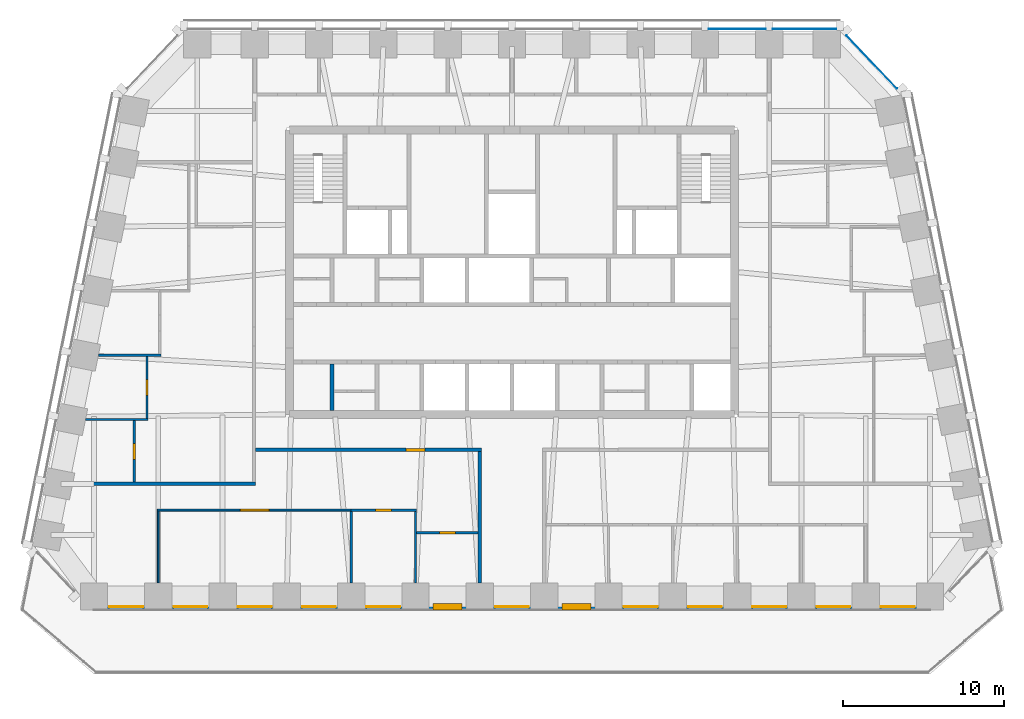
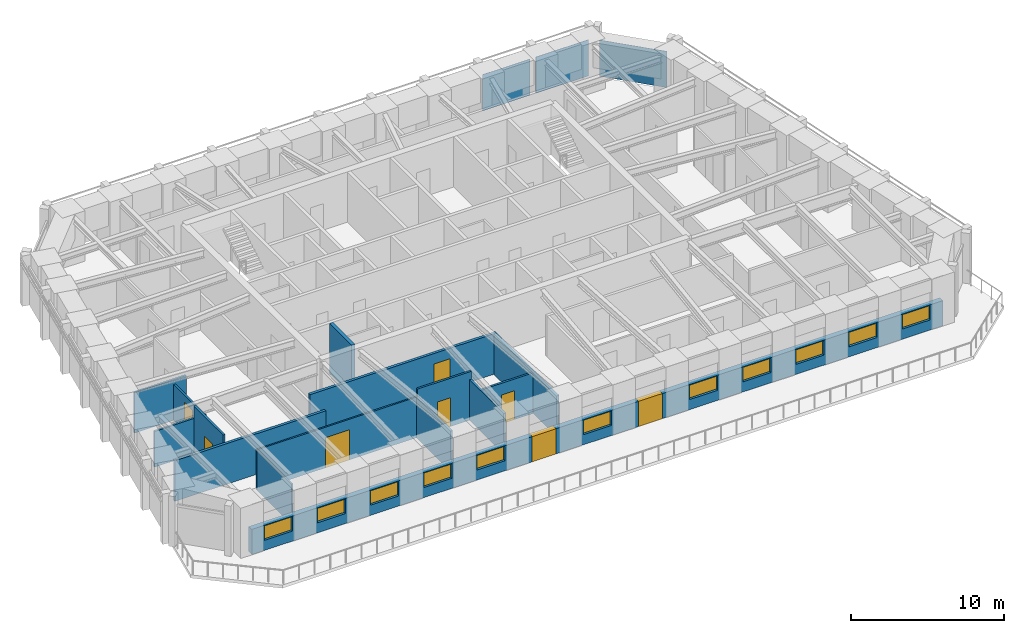
# One storey, part 4 of 11: 15 walls, 11 windows, 8 doors, 3 plates, 19 openings, 2 elements without a shape of their own.
"""IFC4 building model written with IfcOpenShell, lengths in metres."""

from ifc_helpers import new_model, si_unit, direction, frame, frame_2d, origin, origin_2d, place, context, subcontext, project, spatial, rectangle, extrude, material, layer, layer_set, type_object, element, fill, aggregate, save


model = new_model("IFC4")

# Units and contexts
model_context = context("Model", 3, precision=1e-05, world=origin(), true_north=direction((0.0, 1.0)))
body_context = subcontext(model_context, "Body", "Model", "MODEL_VIEW")
ifc_project = project(units=[si_unit("LENGTHUNIT", "METRE"), si_unit("AREAUNIT", "SQUARE_METRE"), si_unit("VOLUMEUNIT", "CUBIC_METRE"), si_unit("PLANEANGLEUNIT", "RADIAN"), si_unit("MASSUNIT", "GRAM", prefix="KILO")], contexts=[model_context])

# Site, building, storey
site_placement = place(None, origin())
site = spatial("IfcSite", under=ifc_project, at=site_placement, CompositionType="ELEMENT")
building_placement = place(site_placement, origin())
building = spatial("IfcBuilding", under=site, at=building_placement, Name="Isbrekke Arena Tower", CompositionType="ELEMENT")
storey_placement = place(building_placement, frame((0.0, 0.0, 284.0)))
storey = spatial("IfcBuildingStorey", under=building, at=storey_placement, Name="L66", CompositionType="ELEMENT", Elevation=284.0)

# Curtain wall, plate
ifc_material_1 = material(Name="Glazed aluminium curtain wall", Category="aluminium")
curtain_wall_type = type_object("IfcCurtainWallType", Name="CWT TOWER CURTAIN WALL TOP ZONE", PredefinedType="USERDEFINED", material=ifc_material_1)
curtain_wall_1_placement = place(storey_placement, origin())
curtain_wall_1 = element("IfcCurtainWall", 1, at=curtain_wall_1_placement, inside=storey, type_object=curtain_wall_type, Name="CWT curtain wall L66-EN", ObjectType="TOWER CURTAIN WALL TOP ZONE", PredefinedType="USERDEFINED")
ifc_material_2 = material(Name="Triple-glazed clear glass unit", Category="glass")
ifc_layer_1 = layer(ifc_material_2, 0.031982421875)
ifc_layer_set_1 = layer_set([ifc_layer_1], Name="CWT-P VISION PANEL")
plate_type = type_object("IfcPlateType", Name="CWT-P VISION PANEL", PredefinedType="CURTAIN_PANEL", material=ifc_layer_set_1)
plate_1_placement = place(storey_placement, frame((22.374755859375, 28.06640625, 0.02001953125), z_axis=(0.0, 0.0, 1.0), x_axis=(-0.68874946192, 0.72499943359, 0.0)))
plate_1 = element("IfcPlate", 2, at=plate_1_placement, type_object=plate_type, Name="CWT-P panel 1", PredefinedType="CURTAIN_PANEL", context=body_context, shape_type="SweptSolid", body=[
    extrude(rectangle(XDim=4.558349609375, YDim=0.031982421875, at=origin_2d()), origin(), (0.0, 0.0, 1.0), 2.8798828125),
])
aggregate(curtain_wall_1, [plate_1])

# Curtain wall, plates
curtain_wall_2_placement = place(storey_placement, origin())
curtain_wall_2 = element("IfcCurtainWall", 3, at=curtain_wall_2_placement, inside=storey, type_object=curtain_wall_type, Name="CWT curtain wall L66-N", ObjectType="TOWER CURTAIN WALL TOP ZONE", PredefinedType="USERDEFINED")
plate_2_placement = place(storey_placement, frame((18.199951171875, 30.125, 0.02001953125), z_axis=(0.0, 0.0, 1.0), x_axis=(-1.0, 0.0, 0.0)))
plate_2 = element("IfcPlate", 4, at=plate_2_placement, type_object=plate_type, Name="CWT-P panel 1", PredefinedType="CURTAIN_PANEL", context=body_context, shape_type="SweptSolid", body=[
    extrude(rectangle(XDim=3.949951171875, YDim=0.031982421875, at=origin_2d()), origin(), (0.0, 0.0, 1.0), 2.8798828125),
])
plate_3_placement = place(storey_placement, frame((14.0, 30.125, 0.02001953125), z_axis=(0.0, 0.0, 1.0), x_axis=(-1.0, 0.0, 0.0)))
plate_3 = element("IfcPlate", 5, at=plate_3_placement, type_object=plate_type, Name="CWT-P panel 2", PredefinedType="CURTAIN_PANEL", context=body_context, shape_type="SweptSolid", body=[
    extrude(rectangle(XDim=3.550048828125, YDim=0.031982421875, at=origin_2d()), origin(), (0.0, 0.0, 1.0), 2.8798828125),
])
aggregate(curtain_wall_2, [plate_2, plate_3])

# Wall
ifc_material_3 = material(Name="Concrete B45 (C45/55)", Category="concrete")
ifc_layer_2 = layer(ifc_material_3, 0.25)
ifc_layer_set_2 = layer_set([ifc_layer_2], Name="CW6 SHAFT WALL 250")
wall_type_1 = type_object("IfcWallType", Name="CW6 SHAFT WALL 250", PredefinedType="SHEAR", material=ifc_layer_set_2)
wall_1_placement = place(storey_placement, frame((-11.199951171875, 6.39990234375, 0.0), z_axis=(0.0, 0.0, 1.0), x_axis=(0.0, 1.0, 0.0)))
element("IfcWall", 6, at=wall_1_placement, inside=storey, type_object=wall_type_1, Name="Core wall SS01 L66", PredefinedType="SHEAR", context=body_context, shape_type="SweptSolid", body=[
    extrude(rectangle(XDim=2.875, YDim=0.25, at=frame_2d((1.4375, 0.0))), origin(), (0.0, 0.0, 1.0), 4.0),
])

# Wall, openings, doors, windows
ifc_material_4 = material(Name="Copper cladding on insulated framing", Category="metal")
ifc_layer_3 = layer(ifc_material_4, 0.39990234375)
ifc_layer_set_3 = layer_set([ifc_layer_3], Name="EW2 COPPER-CLAD WALL 400")
wall_type_2 = type_object("IfcWallType", Name="EW2 COPPER-CLAD WALL 400", PredefinedType="SOLIDWALL", material=ifc_layer_set_3)
wall_2_placement = place(storey_placement, frame((-26.0, -5.800048828125, 0.0), z_axis=(0.0, 0.0, 1.0), x_axis=(1.0, 0.0, 0.0)))
wall_2 = element("IfcWall", 7, at=wall_2_placement, inside=storey, type_object=wall_type_2, Name="EW2 terrace wall L66", PredefinedType="SOLIDWALL", context=body_context, shape_type="SweptSolid", body=[
    extrude(rectangle(XDim=52.0, YDim=0.39990234375, at=frame_2d((26.0, 0.0))), origin(), (0.0, 0.0, 1.0), 2.0),
])
opening_1_placement = place(wall_2_placement, frame((0.949951171875, 0.0, 0.800048828125)))
opening_1 = element("IfcOpeningElement", 8, at=opening_1_placement, cuts=wall_2, Name="Opening WN1", PredefinedType="OPENING", context=body_context, shape_type="SweptSolid", body=[
    extrude(rectangle(XDim=2.10009765625, YDim=1.14990234375, at=frame_2d((1.050048828125, 0.574951171875))), frame((0.0, 0.21484375, 0.0), z_axis=(0.0, -1.0, 0.0), x_axis=(1.0, 0.0, 0.0)), (0.0, 0.0, 1.0), 0.4296875),
])
opening_2_placement = place(wall_2_placement, frame((4.949951171875, 0.0, 0.800048828125)))
opening_2 = element("IfcOpeningElement", 9, at=opening_2_placement, cuts=wall_2, Name="Opening WN1", PredefinedType="OPENING", context=body_context, shape_type="SweptSolid", body=[
    extrude(rectangle(XDim=2.10009765625, YDim=1.14990234375, at=frame_2d((1.050048828125, 0.574951171875))), frame((0.0, 0.21484375, 0.0), z_axis=(0.0, -1.0, 0.0), x_axis=(1.0, 0.0, 0.0)), (0.0, 0.0, 1.0), 0.4296875),
])
opening_3_placement = place(wall_2_placement, frame((8.949951171875, 0.0, 0.800048828125)))
opening_3 = element("IfcOpeningElement", 10, at=opening_3_placement, cuts=wall_2, Name="Opening WN1", PredefinedType="OPENING", context=body_context, shape_type="SweptSolid", body=[
    extrude(rectangle(XDim=2.10009765625, YDim=1.14990234375, at=frame_2d((1.050048828125, 0.574951171875))), frame((0.0, 0.21484375, 0.0), z_axis=(0.0, -1.0, 0.0), x_axis=(1.0, 0.0, 0.0)), (0.0, 0.0, 1.0), 0.4296875),
])
opening_4_placement = place(wall_2_placement, frame((12.949951171875, 0.0, 0.800048828125)))
opening_4 = element("IfcOpeningElement", 11, at=opening_4_placement, cuts=wall_2, Name="Opening WN1", PredefinedType="OPENING", context=body_context, shape_type="SweptSolid", body=[
    extrude(rectangle(XDim=2.10009765625, YDim=1.14990234375, at=frame_2d((1.050048828125, 0.574951171875))), frame((0.0, 0.21484375, 0.0), z_axis=(0.0, -1.0, 0.0), x_axis=(1.0, 0.0, 0.0)), (0.0, 0.0, 1.0), 0.4296875),
])
opening_5_placement = place(wall_2_placement, frame((16.949951171875, 0.0, 0.800048828125)))
opening_5 = element("IfcOpeningElement", 12, at=opening_5_placement, cuts=wall_2, Name="Opening WN1", PredefinedType="OPENING", context=body_context, shape_type="SweptSolid", body=[
    extrude(rectangle(XDim=2.10009765625, YDim=1.14990234375, at=frame_2d((1.050048828125, 0.574951171875))), frame((0.0, 0.21484375, 0.0), z_axis=(0.0, -1.0, 0.0), x_axis=(1.0, 0.0, 0.0)), (0.0, 0.0, 1.0), 0.4296875),
])
opening_6_placement = place(wall_2_placement, frame((21.10009765625, 0.0, 0.0)))
opening_6 = element("IfcOpeningElement", 13, at=opening_6_placement, cuts=wall_2, Name="Opening DT1", PredefinedType="OPENING", context=body_context, shape_type="SweptSolid", body=[
    extrude(rectangle(XDim=1.800048828125, YDim=2.0, at=frame_2d((0.89990234375, 1.0))), frame((0.0, 0.21484375, 0.0), z_axis=(0.0, -1.0, 0.0), x_axis=(1.0, 0.0, 0.0)), (0.0, 0.0, 1.0), 0.4296875),
])
opening_7_placement = place(wall_2_placement, frame((24.949951171875, 0.0, 0.800048828125)))
opening_7 = element("IfcOpeningElement", 14, at=opening_7_placement, cuts=wall_2, Name="Opening WN1", PredefinedType="OPENING", context=body_context, shape_type="SweptSolid", body=[
    extrude(rectangle(XDim=2.10009765625, YDim=1.14990234375, at=frame_2d((1.050048828125, 0.574951171875))), frame((0.0, 0.21484375, 0.0), z_axis=(0.0, -1.0, 0.0), x_axis=(1.0, 0.0, 0.0)), (0.0, 0.0, 1.0), 0.4296875),
])
opening_8_placement = place(wall_2_placement, frame((29.10009765625, 0.0, 0.0)))
opening_8 = element("IfcOpeningElement", 15, at=opening_8_placement, cuts=wall_2, Name="Opening DT1", PredefinedType="OPENING", context=body_context, shape_type="SweptSolid", body=[
    extrude(rectangle(XDim=1.800048828125, YDim=2.0, at=frame_2d((0.89990234375, 1.0))), frame((0.0, 0.21484375, 0.0), z_axis=(0.0, -1.0, 0.0), x_axis=(1.0, 0.0, 0.0)), (0.0, 0.0, 1.0), 0.4296875),
])
opening_9_placement = place(wall_2_placement, frame((32.949951171875, 0.0, 0.800048828125)))
opening_9 = element("IfcOpeningElement", 16, at=opening_9_placement, cuts=wall_2, Name="Opening WN1", PredefinedType="OPENING", context=body_context, shape_type="SweptSolid", body=[
    extrude(rectangle(XDim=2.10009765625, YDim=1.14990234375, at=frame_2d((1.050048828125, 0.574951171875))), frame((0.0, 0.21484375, 0.0), z_axis=(0.0, -1.0, 0.0), x_axis=(1.0, 0.0, 0.0)), (0.0, 0.0, 1.0), 0.4296875),
])
opening_10_placement = place(wall_2_placement, frame((36.949951171875, 0.0, 0.800048828125)))
opening_10 = element("IfcOpeningElement", 17, at=opening_10_placement, cuts=wall_2, Name="Opening WN1", PredefinedType="OPENING", context=body_context, shape_type="SweptSolid", body=[
    extrude(rectangle(XDim=2.10009765625, YDim=1.14990234375, at=frame_2d((1.050048828125, 0.574951171875))), frame((0.0, 0.21484375, 0.0), z_axis=(0.0, -1.0, 0.0), x_axis=(1.0, 0.0, 0.0)), (0.0, 0.0, 1.0), 0.4296875),
])
opening_11_placement = place(wall_2_placement, frame((40.949951171875, 0.0, 0.800048828125)))
opening_11 = element("IfcOpeningElement", 18, at=opening_11_placement, cuts=wall_2, Name="Opening WN1", PredefinedType="OPENING", context=body_context, shape_type="SweptSolid", body=[
    extrude(rectangle(XDim=2.10009765625, YDim=1.14990234375, at=frame_2d((1.050048828125, 0.574951171875))), frame((0.0, 0.21484375, 0.0), z_axis=(0.0, -1.0, 0.0), x_axis=(1.0, 0.0, 0.0)), (0.0, 0.0, 1.0), 0.4296875),
])
opening_12_placement = place(wall_2_placement, frame((44.949951171875, 0.0, 0.800048828125)))
opening_12 = element("IfcOpeningElement", 19, at=opening_12_placement, cuts=wall_2, Name="Opening WN1", PredefinedType="OPENING", context=body_context, shape_type="SweptSolid", body=[
    extrude(rectangle(XDim=2.10009765625, YDim=1.14990234375, at=frame_2d((1.050048828125, 0.574951171875))), frame((0.0, 0.21484375, 0.0), z_axis=(0.0, -1.0, 0.0), x_axis=(1.0, 0.0, 0.0)), (0.0, 0.0, 1.0), 0.4296875),
])
opening_13_placement = place(wall_2_placement, frame((48.949951171875, 0.0, 0.800048828125)))
opening_13 = element("IfcOpeningElement", 20, at=opening_13_placement, cuts=wall_2, Name="Opening WN1", PredefinedType="OPENING", context=body_context, shape_type="SweptSolid", body=[
    extrude(rectangle(XDim=2.10009765625, YDim=1.14990234375, at=frame_2d((1.050048828125, 0.574951171875))), frame((0.0, 0.21484375, 0.0), z_axis=(0.0, -1.0, 0.0), x_axis=(1.0, 0.0, 0.0)), (0.0, 0.0, 1.0), 0.4296875),
])
ifc_material_5 = material(Name="Timber-aluminium glazed door", Category="wood")
door_type_1 = type_object("IfcDoorType", Name="DT1 TERRACE DOOR 1800 x 2000", OperationType="DOUBLE_DOOR_SINGLE_SWING", PredefinedType="DOOR", material=ifc_material_5)
door_1_placement = place(opening_6_placement, origin())
door_1 = element("IfcDoor", 21, at=door_1_placement, inside=storey, type_object=door_type_1, Name="DT1 terrace door L66-6", OperationType="DOUBLE_DOOR_SINGLE_SWING", OverallHeight=2.0, OverallWidth=1.800048828125, PredefinedType="DOOR", context=body_context, shape_type="SweptSolid", body=[
    extrude(rectangle(XDim=1.800048828125, YDim=2.0, at=frame_2d((0.89990234375, 1.0))), frame((0.0, 0.19970703125, 0.0), z_axis=(0.0, -1.0, 0.0), x_axis=(1.0, 0.0, 0.0)), (0.0, 0.0, 1.0), 0.3994140625),
])
fill(opening_6, door_1)
door_2_placement = place(opening_8_placement, origin())
door_2 = element("IfcDoor", 22, at=door_2_placement, inside=storey, type_object=door_type_1, Name="DT1 terrace door L66-8", OperationType="DOUBLE_DOOR_SINGLE_SWING", OverallHeight=2.0, OverallWidth=1.800048828125, PredefinedType="DOOR", context=body_context, shape_type="SweptSolid", body=[
    extrude(rectangle(XDim=1.800048828125, YDim=2.0, at=frame_2d((0.89990234375, 1.0))), frame((0.0, 0.19970703125, 0.0), z_axis=(0.0, -1.0, 0.0), x_axis=(1.0, 0.0, 0.0)), (0.0, 0.0, 1.0), 0.3994140625),
])
fill(opening_8, door_2)
ifc_material_6 = material(Name="Timber-aluminium window, triple glazed", Category="wood")
window_type = type_object("IfcWindowType", Name="WN1 TERRACE WINDOW 2100 x 1150", PartitioningType="SINGLE_PANEL", PredefinedType="WINDOW", material=ifc_material_6)
window_1_placement = place(opening_1_placement, origin())
window_1 = element("IfcWindow", 23, at=window_1_placement, inside=storey, type_object=window_type, Name="WN1 terrace window L66-1", OverallHeight=1.14990234375, OverallWidth=2.10009765625, PartitioningType="SINGLE_PANEL", PredefinedType="WINDOW", context=body_context, shape_type="SweptSolid", body=[
    extrude(rectangle(XDim=2.10009765625, YDim=1.14990234375, at=frame_2d((1.050048828125, 0.574951171875))), frame((0.0, 0.030029296875, 0.0), z_axis=(0.0, -1.0, 0.0), x_axis=(1.0, 0.0, 0.0)), (0.0, 0.0, 1.0), 0.06005859375),
])
fill(opening_1, window_1)
window_2_placement = place(opening_2_placement, origin())
window_2 = element("IfcWindow", 24, at=window_2_placement, inside=storey, type_object=window_type, Name="WN1 terrace window L66-2", OverallHeight=1.14990234375, OverallWidth=2.10009765625, PartitioningType="SINGLE_PANEL", PredefinedType="WINDOW", context=body_context, shape_type="SweptSolid", body=[
    extrude(rectangle(XDim=2.10009765625, YDim=1.14990234375, at=frame_2d((1.050048828125, 0.574951171875))), frame((0.0, 0.030029296875, 0.0), z_axis=(0.0, -1.0, 0.0), x_axis=(1.0, 0.0, 0.0)), (0.0, 0.0, 1.0), 0.06005859375),
])
fill(opening_2, window_2)
window_3_placement = place(opening_3_placement, origin())
window_3 = element("IfcWindow", 25, at=window_3_placement, inside=storey, type_object=window_type, Name="WN1 terrace window L66-3", OverallHeight=1.14990234375, OverallWidth=2.10009765625, PartitioningType="SINGLE_PANEL", PredefinedType="WINDOW", context=body_context, shape_type="SweptSolid", body=[
    extrude(rectangle(XDim=2.10009765625, YDim=1.14990234375, at=frame_2d((1.050048828125, 0.574951171875))), frame((0.0, 0.030029296875, 0.0), z_axis=(0.0, -1.0, 0.0), x_axis=(1.0, 0.0, 0.0)), (0.0, 0.0, 1.0), 0.06005859375),
])
fill(opening_3, window_3)
window_4_placement = place(opening_4_placement, origin())
window_4 = element("IfcWindow", 26, at=window_4_placement, inside=storey, type_object=window_type, Name="WN1 terrace window L66-4", OverallHeight=1.14990234375, OverallWidth=2.10009765625, PartitioningType="SINGLE_PANEL", PredefinedType="WINDOW", context=body_context, shape_type="SweptSolid", body=[
    extrude(rectangle(XDim=2.10009765625, YDim=1.14990234375, at=frame_2d((1.050048828125, 0.574951171875))), frame((0.0, 0.030029296875, 0.0), z_axis=(0.0, -1.0, 0.0), x_axis=(1.0, 0.0, 0.0)), (0.0, 0.0, 1.0), 0.06005859375),
])
fill(opening_4, window_4)
window_5_placement = place(opening_5_placement, origin())
window_5 = element("IfcWindow", 27, at=window_5_placement, inside=storey, type_object=window_type, Name="WN1 terrace window L66-5", OverallHeight=1.14990234375, OverallWidth=2.10009765625, PartitioningType="SINGLE_PANEL", PredefinedType="WINDOW", context=body_context, shape_type="SweptSolid", body=[
    extrude(rectangle(XDim=2.10009765625, YDim=1.14990234375, at=frame_2d((1.050048828125, 0.574951171875))), frame((0.0, 0.030029296875, 0.0), z_axis=(0.0, -1.0, 0.0), x_axis=(1.0, 0.0, 0.0)), (0.0, 0.0, 1.0), 0.06005859375),
])
fill(opening_5, window_5)
window_6_placement = place(opening_7_placement, origin())
window_6 = element("IfcWindow", 28, at=window_6_placement, inside=storey, type_object=window_type, Name="WN1 terrace window L66-7", OverallHeight=1.14990234375, OverallWidth=2.10009765625, PartitioningType="SINGLE_PANEL", PredefinedType="WINDOW", context=body_context, shape_type="SweptSolid", body=[
    extrude(rectangle(XDim=2.10009765625, YDim=1.14990234375, at=frame_2d((1.050048828125, 0.574951171875))), frame((0.0, 0.030029296875, 0.0), z_axis=(0.0, -1.0, 0.0), x_axis=(1.0, 0.0, 0.0)), (0.0, 0.0, 1.0), 0.06005859375),
])
fill(opening_7, window_6)
window_7_placement = place(opening_9_placement, origin())
window_7 = element("IfcWindow", 29, at=window_7_placement, inside=storey, type_object=window_type, Name="WN1 terrace window L66-9", OverallHeight=1.14990234375, OverallWidth=2.10009765625, PartitioningType="SINGLE_PANEL", PredefinedType="WINDOW", context=body_context, shape_type="SweptSolid", body=[
    extrude(rectangle(XDim=2.10009765625, YDim=1.14990234375, at=frame_2d((1.050048828125, 0.574951171875))), frame((0.0, 0.030029296875, 0.0), z_axis=(0.0, -1.0, 0.0), x_axis=(1.0, 0.0, 0.0)), (0.0, 0.0, 1.0), 0.06005859375),
])
fill(opening_9, window_7)
window_8_placement = place(opening_10_placement, origin())
window_8 = element("IfcWindow", 30, at=window_8_placement, inside=storey, type_object=window_type, Name="WN1 terrace window L66-10", OverallHeight=1.14990234375, OverallWidth=2.10009765625, PartitioningType="SINGLE_PANEL", PredefinedType="WINDOW", context=body_context, shape_type="SweptSolid", body=[
    extrude(rectangle(XDim=2.10009765625, YDim=1.14990234375, at=frame_2d((1.050048828125, 0.574951171875))), frame((0.0, 0.030029296875, 0.0), z_axis=(0.0, -1.0, 0.0), x_axis=(1.0, 0.0, 0.0)), (0.0, 0.0, 1.0), 0.06005859375),
])
fill(opening_10, window_8)
window_9_placement = place(opening_11_placement, origin())
window_9 = element("IfcWindow", 31, at=window_9_placement, inside=storey, type_object=window_type, Name="WN1 terrace window L66-11", OverallHeight=1.14990234375, OverallWidth=2.10009765625, PartitioningType="SINGLE_PANEL", PredefinedType="WINDOW", context=body_context, shape_type="SweptSolid", body=[
    extrude(rectangle(XDim=2.10009765625, YDim=1.14990234375, at=frame_2d((1.050048828125, 0.574951171875))), frame((0.0, 0.030029296875, 0.0), z_axis=(0.0, -1.0, 0.0), x_axis=(1.0, 0.0, 0.0)), (0.0, 0.0, 1.0), 0.06005859375),
])
fill(opening_11, window_9)
window_10_placement = place(opening_12_placement, origin())
window_10 = element("IfcWindow", 32, at=window_10_placement, inside=storey, type_object=window_type, Name="WN1 terrace window L66-12", OverallHeight=1.14990234375, OverallWidth=2.10009765625, PartitioningType="SINGLE_PANEL", PredefinedType="WINDOW", context=body_context, shape_type="SweptSolid", body=[
    extrude(rectangle(XDim=2.10009765625, YDim=1.14990234375, at=frame_2d((1.050048828125, 0.574951171875))), frame((0.0, 0.030029296875, 0.0), z_axis=(0.0, -1.0, 0.0), x_axis=(1.0, 0.0, 0.0)), (0.0, 0.0, 1.0), 0.06005859375),
])
fill(opening_12, window_10)
window_11_placement = place(opening_13_placement, origin())
window_11 = element("IfcWindow", 33, at=window_11_placement, inside=storey, type_object=window_type, Name="WN1 terrace window L66-13", OverallHeight=1.14990234375, OverallWidth=2.10009765625, PartitioningType="SINGLE_PANEL", PredefinedType="WINDOW", context=body_context, shape_type="SweptSolid", body=[
    extrude(rectangle(XDim=2.10009765625, YDim=1.14990234375, at=frame_2d((1.050048828125, 0.574951171875))), frame((0.0, 0.030029296875, 0.0), z_axis=(0.0, -1.0, 0.0), x_axis=(1.0, 0.0, 0.0)), (0.0, 0.0, 1.0), 0.06005859375),
])
fill(opening_13, window_11)

# Wall, opening, door
ifc_material_7 = material(Name="Gypsum board partition on steel studs", Category="steel")
ifc_layer_4 = layer(ifc_material_7, 0.14990234375)
ifc_layer_set_4 = layer_set([ifc_layer_4], Name="IW1 PARTITION 150")
wall_type_3 = type_object("IfcWallType", Name="IW1 PARTITION 150", PredefinedType="PARTITIONING", material=ifc_layer_set_4)
wall_3_placement = place(storey_placement, frame((-5.925048828125, -1.199951171875, 0.0), z_axis=(0.0, 0.0, 1.0), x_axis=(1.0, 0.0, 0.0)))
wall_3 = element("IfcWall", 34, at=wall_3_placement, inside=storey, type_object=wall_type_3, Name="IW1 partition 150 L66", PredefinedType="PARTITIONING", context=body_context, shape_type="SweptSolid", body=[
    extrude(rectangle(XDim=3.824951171875, YDim=0.14990234375, at=frame_2d((1.91259765625, 0.0))), origin(), (0.0, 0.0, 1.0), 3.22998046875),
])
opening_14_placement = place(wall_3_placement, frame((1.425048828125, 0.0, 0.0)))
opening_14 = element("IfcOpeningElement", 35, at=opening_14_placement, cuts=wall_3, Name="Opening D10", PredefinedType="OPENING", context=body_context, shape_type="SweptSolid", body=[
    extrude(rectangle(XDim=1.0, YDim=2.300048828125, at=frame_2d((0.5, 1.14990234375))), frame((0.0, 0.08984375, 0.0), z_axis=(0.0, -1.0, 0.0), x_axis=(1.0, 0.0, 0.0)), (0.0, 0.0, 1.0), 0.1796875),
])
ifc_material_8 = material(Name="Timber door", Category="wood")
door_type_2 = type_object("IfcDoorType", Name="D10 OFFICE DOOR 1000 x 2300", OperationType="SINGLE_SWING_LEFT", PredefinedType="DOOR", material=ifc_material_8)
door_3_placement = place(opening_14_placement, origin())
door_3 = element("IfcDoor", 36, at=door_3_placement, inside=storey, type_object=door_type_2, Name="D10 pantry door L66", OperationType="SINGLE_SWING_LEFT", OverallHeight=2.300048828125, OverallWidth=1.0, PredefinedType="DOOR", context=body_context, shape_type="SweptSolid", body=[
    extrude(rectangle(XDim=1.0, YDim=2.300048828125, at=frame_2d((0.5, 1.14990234375))), frame((0.0, 0.07470703125, 0.0), z_axis=(0.0, -1.0, 0.0), x_axis=(1.0, 0.0, 0.0)), (0.0, 0.0, 1.0), 0.1494140625),
])
fill(opening_14, door_3)

wall_4_placement = place(storey_placement, frame((-10.0, 0.199951171875, 0.0), z_axis=(0.0, 0.0, 1.0), x_axis=(1.0, 0.0, 0.0)))
wall_4 = element("IfcWall", 37, at=wall_4_placement, inside=storey, type_object=wall_type_3, Name="IW1 partition 150 L66", PredefinedType="PARTITIONING", context=body_context, shape_type="SweptSolid", body=[
    extrude(rectangle(XDim=4.074951171875, YDim=0.14990234375, at=frame_2d((2.03759765625, 0.0))), origin(), (0.0, 0.0, 1.0), 3.85009765625),
])
opening_15_placement = place(wall_4_placement, frame((1.5, 0.0, 0.0)))
opening_15 = element("IfcOpeningElement", 38, at=opening_15_placement, cuts=wall_4, Name="Opening D10", PredefinedType="OPENING", context=body_context, shape_type="SweptSolid", body=[
    extrude(rectangle(XDim=1.0, YDim=2.300048828125, at=frame_2d((0.5, 1.14990234375))), frame((0.0, 0.08984375, 0.0), z_axis=(0.0, -1.0, 0.0), x_axis=(1.0, 0.0, 0.0)), (0.0, 0.0, 1.0), 0.1796875),
])
door_4_placement = place(opening_15_placement, origin())
door_4 = element("IfcDoor", 39, at=door_4_placement, inside=storey, type_object=door_type_2, Name="D10 breakout room door L66", OperationType="SINGLE_SWING_LEFT", OverallHeight=2.300048828125, OverallWidth=1.0, PredefinedType="DOOR", context=body_context, shape_type="SweptSolid", body=[
    extrude(rectangle(XDim=1.0, YDim=2.300048828125, at=frame_2d((0.5, 1.14990234375))), frame((0.0, 0.07470703125, 0.0), z_axis=(0.0, -1.0, 0.0), x_axis=(1.0, 0.0, 0.0)), (0.0, 0.0, 1.0), 0.1494140625),
])
fill(opening_15, door_4)

# Walls
wall_5_placement = place(storey_placement, frame((-26.523681640625, 5.840087890625, 0.0), z_axis=(0.0, 0.0, 1.0), x_axis=(1.0, 0.0, 0.0)))
element("IfcWall", 40, at=wall_5_placement, inside=storey, type_object=wall_type_3, Name="IW1 partition 150 L66", PredefinedType="PARTITIONING", context=body_context, shape_type="SweptSolid", body=[
    extrude(rectangle(XDim=3.898681640625, YDim=0.14990234375, at=frame_2d((1.94921875, 0.0))), origin(), (0.0, 0.0, 1.0), 2.842041015625),
])
wall_6_placement = place(storey_placement, frame((-25.723876953125, 9.840087890625, 0.0), z_axis=(0.0, 0.0, 1.0), x_axis=(1.0, 0.0, 0.0)))
element("IfcWall", 41, at=wall_6_placement, inside=storey, type_object=wall_type_3, Name="IW1 partition 150 L66", PredefinedType="PARTITIONING", context=body_context, shape_type="SweptSolid", body=[
    extrude(rectangle(XDim=3.89892578125, YDim=0.14990234375, at=frame_2d((1.949462890625, 0.0))), origin(), (0.0, 0.0, 1.0), 3.22998046875),
])

# Wall, opening, door
wall_7_placement = place(storey_placement, frame((-23.5, 1.93994140625, 0.0), z_axis=(0.0, 0.0, 1.0), x_axis=(0.0, 1.0, 0.0)))
wall_7 = element("IfcWall", 42, at=wall_7_placement, inside=storey, type_object=wall_type_3, Name="IW1 partition 150 L66", PredefinedType="PARTITIONING", context=body_context, shape_type="SweptSolid", body=[
    extrude(rectangle(XDim=3.824951171875, YDim=0.14990234375, at=frame_2d((1.91259765625, 0.0))), origin(), (0.0, 0.0, 1.0), 3.85009765625),
])
opening_16_placement = place(wall_7_placement, frame((1.39990234375, 0.0, 0.0)))
opening_16 = element("IfcOpeningElement", 43, at=opening_16_placement, cuts=wall_7, Name="Opening D10", PredefinedType="OPENING", context=body_context, shape_type="SweptSolid", body=[
    extrude(rectangle(XDim=1.0, YDim=2.300048828125, at=frame_2d((0.5, 1.14990234375))), frame((0.0, 0.08984375, 0.0), z_axis=(0.0, -1.0, 0.0), x_axis=(1.0, 0.0, 0.0)), (0.0, 0.0, 1.0), 0.1796875),
])
door_5_placement = place(opening_16_placement, origin())
door_5 = element("IfcDoor", 44, at=door_5_placement, inside=storey, type_object=door_type_2, Name="D10 office door L66", OperationType="SINGLE_SWING_LEFT", OverallHeight=2.300048828125, OverallWidth=1.0, PredefinedType="DOOR", context=body_context, shape_type="SweptSolid", body=[
    extrude(rectangle(XDim=1.0, YDim=2.300048828125, at=frame_2d((0.5, 1.14990234375))), frame((0.0, 0.07470703125, 0.0), z_axis=(0.0, -1.0, 0.0), x_axis=(1.0, 0.0, 0.0)), (0.0, 0.0, 1.0), 0.1494140625),
])
fill(opening_16, door_5)

wall_8_placement = place(storey_placement, frame((-22.699951171875, 5.9150390625, 0.0), z_axis=(0.0, 0.0, 1.0), x_axis=(0.0, 1.0, 0.0)))
wall_8 = element("IfcWall", 45, at=wall_8_placement, inside=storey, type_object=wall_type_3, Name="IW1 partition 150 L66", PredefinedType="PARTITIONING", context=body_context, shape_type="SweptSolid", body=[
    extrude(rectangle(XDim=3.849853515625, YDim=0.14990234375, at=frame_2d((1.9248046875, 0.0))), origin(), (0.0, 0.0, 1.0), 2.842041015625),
])
opening_17_placement = place(wall_8_placement, frame((1.425048828125, 0.0, 0.0)))
opening_17 = element("IfcOpeningElement", 46, at=opening_17_placement, cuts=wall_8, Name="Opening D10", PredefinedType="OPENING", context=body_context, shape_type="SweptSolid", body=[
    extrude(rectangle(XDim=1.0, YDim=2.300048828125, at=frame_2d((0.5, 1.14990234375))), frame((0.0, 0.08984375, 0.0), z_axis=(0.0, -1.0, 0.0), x_axis=(1.0, 0.0, 0.0)), (0.0, 0.0, 1.0), 0.1796875),
])
door_6_placement = place(opening_17_placement, origin())
door_6 = element("IfcDoor", 47, at=door_6_placement, inside=storey, type_object=door_type_2, Name="D10 office door L66", OperationType="SINGLE_SWING_LEFT", OverallHeight=2.300048828125, OverallWidth=1.0, PredefinedType="DOOR", context=body_context, shape_type="SweptSolid", body=[
    extrude(rectangle(XDim=1.0, YDim=2.300048828125, at=frame_2d((0.5, 1.14990234375))), frame((0.0, 0.07470703125, 0.0), z_axis=(0.0, -1.0, 0.0), x_axis=(1.0, 0.0, 0.0)), (0.0, 0.0, 1.0), 0.1494140625),
])
fill(opening_17, door_6)

# Walls
for number, where, z_axis, x_axis, name in (
    (48, (-10.0, -4.324951171875, 0.0), (0.0, 0.0, 1.0), (0.0, 1.0, 0.0), "IW1 partition 150 L66"),
    (49, (-6.0, -4.324951171875, 0.0), (0.0, 0.0, 1.0), (0.0, 1.0, 0.0), "IW1 partition 150 L66"),
):
    element("IfcWall", number, at=place(storey_placement, frame(where, z_axis=z_axis, x_axis=x_axis)), inside=storey, type_object=wall_type_3, Name=name, PredefinedType="PARTITIONING", context=body_context, shape_type="SweptSolid", body=[
        extrude(rectangle(XDim=4.449951171875, YDim=0.14990234375, at=frame_2d((2.22509765625, 0.0))), origin(), (0.0, 0.0, 1.0), 3.22998046875),
    ])

# Wall, opening, door
ifc_material_9 = material(Name="Frameless glazed partition, laminated acoustic glass", Category="glass")
ifc_layer_5 = layer(ifc_material_9, 0.1201171875)
ifc_layer_set_5 = layer_set([ifc_layer_5], Name="IW2 GLAZED PARTITION 120")
wall_type_4 = type_object("IfcWallType", Name="IW2 GLAZED PARTITION 120", PredefinedType="PARTITIONING", material=ifc_layer_set_5)
wall_9_placement = place(storey_placement, frame((-22.06005859375, 0.199951171875, 0.0), z_axis=(0.0, 0.0, 1.0), x_axis=(1.0, 0.0, 0.0)))
wall_9 = element("IfcWall", 50, at=wall_9_placement, inside=storey, type_object=wall_type_4, Name="IW2 glazed partition 120 L66", PredefinedType="PARTITIONING", context=body_context, shape_type="SweptSolid", body=[
    extrude(rectangle(XDim=12.06005859375, YDim=0.1201171875, at=frame_2d((6.030029296875, 0.0))), origin(), (0.0, 0.0, 1.0), 3.22998046875),
])
opening_18_placement = place(wall_9_placement, frame((5.159912109375, 0.0, 0.0)))
opening_18 = element("IfcOpeningElement", 51, at=opening_18_placement, cuts=wall_9, Name="Opening D13", PredefinedType="OPENING", context=body_context, shape_type="SweptSolid", body=[
    extrude(rectangle(XDim=1.800048828125, YDim=2.39990234375, at=frame_2d((0.89990234375, 1.199951171875))), frame((0.0, 0.074951171875, 0.0), z_axis=(0.0, -1.0, 0.0), x_axis=(1.0, 0.0, 0.0)), (0.0, 0.0, 1.0), 0.14990234375),
])
ifc_material_10 = material(Name="Timber door pair", Category="wood")
door_type_3 = type_object("IfcDoorType", Name="D13 DOUBLE ROOM DOOR 1800 x 2400", OperationType="DOUBLE_DOOR_SINGLE_SWING", PredefinedType="DOOR", material=ifc_material_10)
door_7_placement = place(opening_18_placement, origin())
door_7 = element("IfcDoor", 52, at=door_7_placement, inside=storey, type_object=door_type_3, Name="D13 boardroom door L66", OperationType="DOUBLE_DOOR_SINGLE_SWING", OverallHeight=2.39990234375, OverallWidth=1.800048828125, PredefinedType="DOOR", context=body_context, shape_type="SweptSolid", body=[
    extrude(rectangle(XDim=1.800048828125, YDim=2.39990234375, at=frame_2d((0.89990234375, 1.199951171875))), frame((0.0, 0.059814453125, 0.0), z_axis=(0.0, -1.0, 0.0), x_axis=(1.0, 0.0, 0.0)), (0.0, 0.0, 1.0), 0.11962890625),
])
fill(opening_18, door_7)

# Walls
wall_10_placement = place(storey_placement, frame((-22.0, -4.324951171875, 0.0), z_axis=(0.0, 0.0, 1.0), x_axis=(0.0, 1.0, 0.0)))
element("IfcWall", 53, at=wall_10_placement, inside=storey, type_object=wall_type_4, Name="IW2 glazed partition 120 L66", PredefinedType="PARTITIONING", context=body_context, shape_type="SweptSolid", body=[
    extrude(rectangle(XDim=4.46484375, YDim=0.1201171875, at=frame_2d((2.232421875, 0.0))), origin(), (0.0, 0.0, 1.0), 3.22998046875),
])
ifc_material_11 = material(Name="Gypsum board fire-cell wall on steel studs, two layers each side", Category="steel")
ifc_layer_6 = layer(ifc_material_11, 0.199951171875)
ifc_layer_set_6 = layer_set([ifc_layer_6], Name="IW3 FIRE-CELL WALL 200")
wall_type_5 = type_object("IfcWallType", Name="IW3 FIRE-CELL WALL 200", PredefinedType="PARTITIONING", material=ifc_layer_set_6)
wall_11_placement = place(storey_placement, frame((-27.32373046875, 1.840087890625, 0.0), z_axis=(0.0, 0.0, 1.0), x_axis=(1.0, 0.0, 0.0)))
element("IfcWall", 54, at=wall_11_placement, inside=storey, type_object=wall_type_5, Name="IW3 fire-cell wall 200 L66", PredefinedType="PARTITIONING", context=body_context, shape_type="SweptSolid", body=[
    extrude(rectangle(XDim=11.373779296875, YDim=0.199951171875, at=frame_2d((5.68701171875, 0.0))), origin(), (0.0, 0.0, 1.0), 3.22998046875),
])

# Wall, opening, door
wall_12_placement = place(storey_placement, frame((-15.949951171875, 3.949951171875, 0.0), z_axis=(0.0, 0.0, 1.0), x_axis=(1.0, 0.0, 0.0)))
wall_12 = element("IfcWall", 55, at=wall_12_placement, inside=storey, type_object=wall_type_5, Name="IW3 fire-cell wall 200 L66", PredefinedType="PARTITIONING", context=body_context, shape_type="SweptSolid", body=[
    extrude(rectangle(XDim=14.050048828125, YDim=0.199951171875, at=frame_2d((7.02490234375, 0.0))), origin(), (0.0, 0.0, 1.0), 3.22998046875),
])
opening_19_placement = place(wall_12_placement, frame((9.35009765625, 0.0, 0.0)))
opening_19 = element("IfcOpeningElement", 56, at=opening_19_placement, cuts=wall_12, Name="Opening D12", PredefinedType="OPENING", context=body_context, shape_type="SweptSolid", body=[
    extrude(rectangle(XDim=1.199951171875, YDim=2.39990234375, at=frame_2d((0.60009765625, 1.199951171875))), frame((0.0, 0.11474609375, 0.0), z_axis=(0.0, -1.0, 0.0), x_axis=(1.0, 0.0, 0.0)), (0.0, 0.0, 1.0), 0.229736328125),
])
ifc_material_12 = material(Name="Timber fire door with vision panel", Category="wood")
door_type_4 = type_object("IfcDoorType", Name="D12 SUITE ENTRANCE DOOR 1200 x 2400", OperationType="SINGLE_SWING_LEFT", PredefinedType="DOOR", material=ifc_material_12)
door_8_placement = place(opening_19_placement, origin())
door_8 = element("IfcDoor", 57, at=door_8_placement, inside=storey, type_object=door_type_4, Name="D12 suite entrance B door L66", OperationType="SINGLE_SWING_LEFT", OverallHeight=2.39990234375, OverallWidth=1.199951171875, PredefinedType="DOOR", context=body_context, shape_type="SweptSolid", body=[
    extrude(rectangle(XDim=1.199951171875, YDim=2.39990234375, at=frame_2d((0.60009765625, 1.199951171875))), frame((0.0, 0.099609375, 0.0), z_axis=(0.0, -1.0, 0.0), x_axis=(1.0, 0.0, 0.0)), (0.0, 0.0, 1.0), 0.199462890625),
])
fill(opening_19, door_8)

# Wall
wall_13_placement = place(storey_placement, frame((-2.0, -4.324951171875, 0.0), z_axis=(0.0, 0.0, 1.0), x_axis=(0.0, 1.0, 0.0)))
element("IfcWall", 58, at=wall_13_placement, inside=storey, type_object=wall_type_5, Name="IW3 fire-cell wall 200 L66", PredefinedType="PARTITIONING", context=body_context, shape_type="SweptSolid", body=[
    extrude(rectangle(XDim=8.175048828125, YDim=0.199951171875, at=frame_2d((4.08740234375, 0.0))), origin(), (0.0, 0.0, 1.0), 3.22998046875),
])

save(model, "model.ifc")
